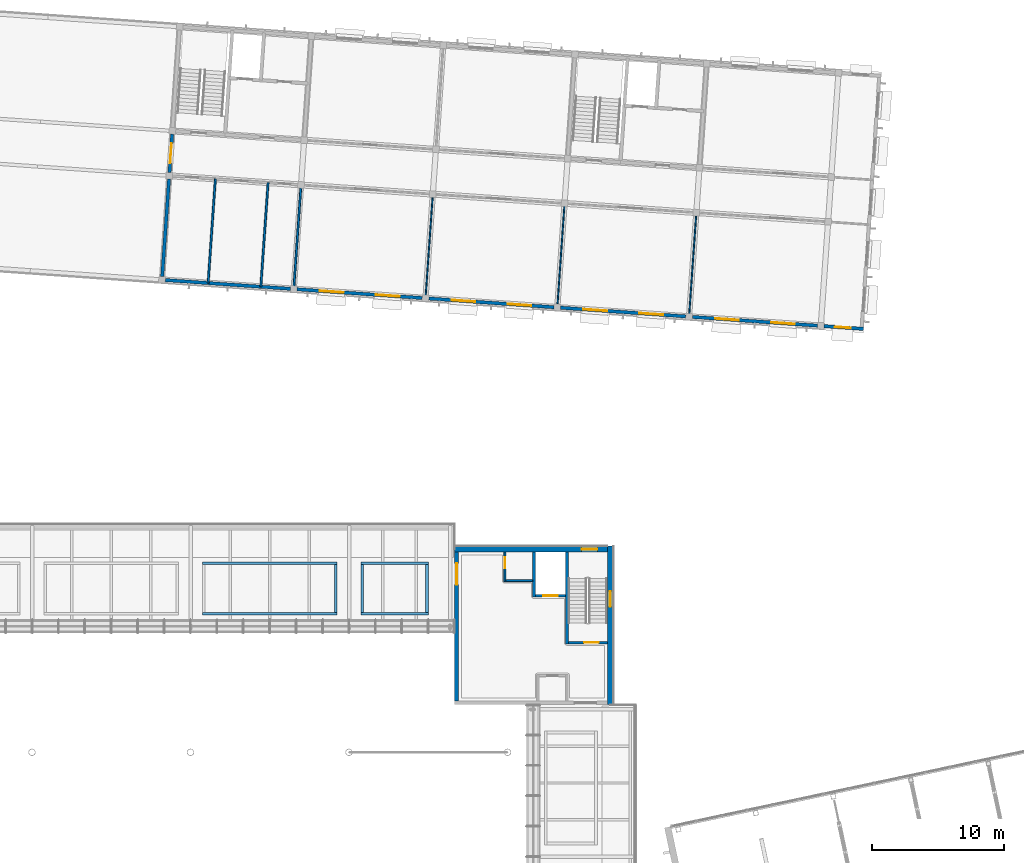
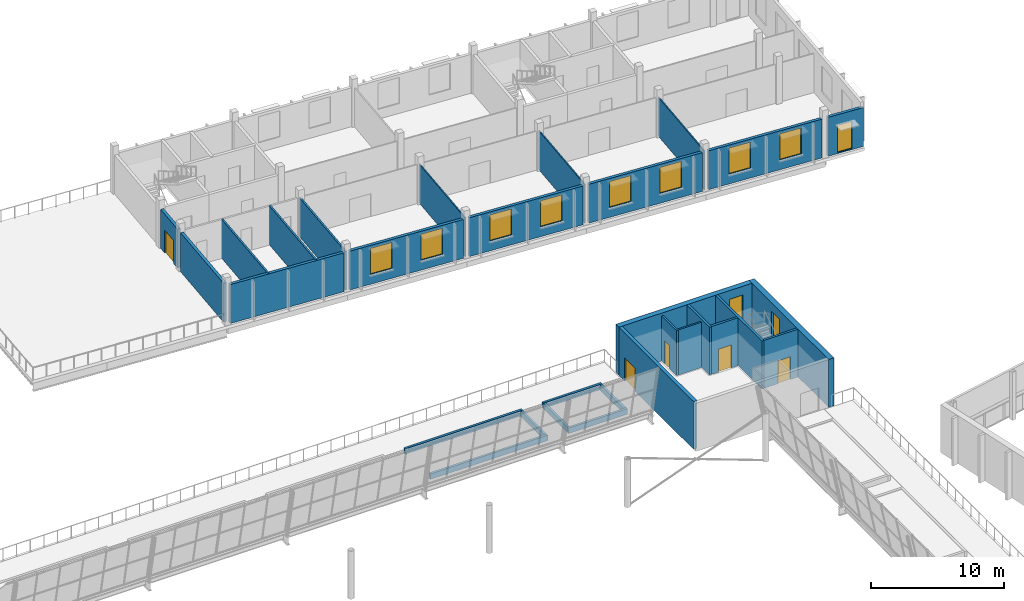
# One storey, part 36 of 58: 30 walls, 11 windows, 5 doors, 16 openings.
"""IFC4 building model written with IfcOpenShell, lengths in metres."""

from ifc_helpers import new_model, si_unit, direction, frame, frame_2d, origin, place, context, subcontext, project, spatial, rectangle, extrude, material, layer, layer_set, type_object, element, fill, save


model = new_model("IFC4")

# Units and contexts
model_context = context("Model", 3, precision=1e-05, world=origin(), true_north=direction((0.0, 1.0)))
body_context = subcontext(model_context, "Body", "Model", "MODEL_VIEW")
ifc_project = project(units=[si_unit("LENGTHUNIT", "METRE"), si_unit("AREAUNIT", "SQUARE_METRE"), si_unit("VOLUMEUNIT", "CUBIC_METRE"), si_unit("PLANEANGLEUNIT", "RADIAN"), si_unit("MASSUNIT", "GRAM", prefix="KILO")], contexts=[model_context])

# Site, building, storey
site_placement = place(None, origin())
site = spatial("IfcSite", under=ifc_project, at=site_placement, CompositionType="ELEMENT")
building_placement = place(site_placement, origin())
building = spatial("IfcBuilding", under=site, at=building_placement, Name="Windward Yard Aquatics Centre", CompositionType="ELEMENT")
storey_placement = place(building_placement, frame((0.0, 0.0, 13.800048828125)))
storey = spatial("IfcBuildingStorey", under=building, at=storey_placement, Name="L03", CompositionType="ELEMENT", Elevation=13.800048828125)

# Wall
ifc_material_1 = material(Name="Concrete C35/45", Category="concrete")
ifc_layer_1 = layer(ifc_material_1, 0.199951171875)
ifc_layer_set_1 = layer_set([ifc_layer_1], Name="H Enclosure Wall Concrete C35/45 200")
wall_type_1 = type_object("IfcWallType", Name="H Enclosure Wall Concrete C35/45 200", PredefinedType="SOLIDWALL", material=ifc_layer_set_1)
wall_1_placement = place(storey_placement, frame((148.5, 95.550048828125, 0.0), z_axis=(0.0, 0.0, 1.0), x_axis=(0.0, -1.0, 0.0)))
element("IfcWall", 1, at=wall_1_placement, inside=storey, type_object=wall_type_1, Name="L03 W1 enclosure wall NE", PredefinedType="SOLIDWALL", context=body_context, shape_type="SweptSolid", body=[
    extrude(rectangle(XDim=6.949951171875, YDim=0.199951171875, at=frame_2d((3.47509765625, 0.0))), origin(), (0.0, 0.0, 1.0), 4.39990234375),
])

# Wall, opening, door
wall_2_placement = place(storey_placement, frame((151.550048828125, 88.699951171875, 0.0), z_axis=(0.0, 0.0, 1.0), x_axis=(-1.0, 0.0, 0.0)))
wall_2 = element("IfcWall", 2, at=wall_2_placement, inside=storey, type_object=wall_type_1, Name="L03 W2 enclosure wall NE", PredefinedType="SOLIDWALL", context=body_context, shape_type="SweptSolid", body=[
    extrude(rectangle(XDim=2.949951171875, YDim=0.199951171875, at=frame_2d((1.47509765625, 0.0))), origin(), (0.0, 0.0, 1.0), 4.39990234375),
])
opening_1_placement = place(wall_2_placement, frame((0.64990234375, 0.0, 0.0)))
opening_1 = element("IfcOpeningElement", 3, at=opening_1_placement, cuts=wall_2, Name="Opening H3019", PredefinedType="OPENING", context=body_context, shape_type="SweptSolid", body=[
    extrude(rectangle(XDim=1.10009765625, YDim=2.10009765625, at=frame_2d((0.550048828125, 1.050048828125))), frame((0.0, 0.10986328125, 0.0), z_axis=(0.0, -1.0, 0.0), x_axis=(1.0, 0.0, 0.0)), (0.0, 0.0, 1.0), 0.219970703125),
])
ifc_material_2 = material(Name="Steel and timber door leaf", Category="steel")
door_type_1 = type_object("IfcDoorType", Name="H Door Single 1100 x 2100 FD60", OperationType="NOTDEFINED", PredefinedType="DOOR", material=ifc_material_2)
door_1_placement = place(opening_1_placement, origin())
door_1 = element("IfcDoor", 4, at=door_1_placement, inside=storey, type_object=door_type_1, Name="L03 stair NE door", OperationType="SINGLE_SWING_RIGHT", OverallHeight=2.10009765625, OverallWidth=1.10009765625, PredefinedType="DOOR", context=body_context, shape_type="SweptSolid", body=[
    extrude(rectangle(XDim=1.10009765625, YDim=2.10009765625, at=frame_2d((0.550048828125, 1.050048828125))), frame((0.0, 0.02490234375, 0.0), z_axis=(0.0, -1.0, 0.0), x_axis=(1.0, 0.0, 0.0)), (0.0, 0.0, 1.0), 0.050048828125),
])
fill(opening_1, door_1)

# Wall
wall_3_placement = place(storey_placement, frame((146.0, 95.550048828125, 0.0), z_axis=(0.0, 0.0, 1.0), x_axis=(0.0, -1.0, 0.0)))
element("IfcWall", 5, at=wall_3_placement, inside=storey, type_object=wall_type_1, Name="L03 W3 enclosure wall NE", PredefinedType="SOLIDWALL", context=body_context, shape_type="SweptSolid", body=[
    extrude(rectangle(XDim=3.400146484375, YDim=0.199951171875, at=frame_2d((1.7001953125, 0.0))), origin(), (0.0, 0.0, 1.0), 4.39990234375),
])

# Wall, opening, door
wall_4_placement = place(storey_placement, frame((148.39990234375, 92.25, 0.0), z_axis=(0.0, 0.0, 1.0), x_axis=(-1.0, 0.0, 0.0)))
wall_4 = element("IfcWall", 6, at=wall_4_placement, inside=storey, type_object=wall_type_1, Name="L03 W4 enclosure wall NE", PredefinedType="SOLIDWALL", context=body_context, shape_type="SweptSolid", body=[
    extrude(rectangle(XDim=2.2998046875, YDim=0.199951171875, at=frame_2d((1.14990234375, 0.0))), origin(), (0.0, 0.0, 1.0), 4.39990234375),
])
opening_2_placement = place(wall_4_placement, frame((0.60009765625, 0.0, 0.0)))
opening_2 = element("IfcOpeningElement", 7, at=opening_2_placement, cuts=wall_4, Name="Opening H3020", PredefinedType="OPENING", context=body_context, shape_type="SweptSolid", body=[
    extrude(rectangle(XDim=1.10009765625, YDim=2.10009765625, at=frame_2d((0.550048828125, 1.050048828125))), frame((0.0, 0.10986328125, 0.0), z_axis=(0.0, -1.0, 0.0), x_axis=(1.0, 0.0, 0.0)), (0.0, 0.0, 1.0), 0.219970703125),
])
ifc_material_3 = material(Name="Stainless steel 1.4301", Category="steel")
door_type_2 = type_object("IfcDoorType", Name="H Lift Landing Door 1100 x 2100", OperationType="DOUBLE_DOOR_SLIDING", PredefinedType="DOOR", material=ifc_material_3)
door_2_placement = place(opening_2_placement, origin())
door_2 = element("IfcDoor", 8, at=door_2_placement, inside=storey, type_object=door_type_2, Name="Lift NE landing door L03", OperationType="DOUBLE_DOOR_SLIDING", OverallHeight=2.10009765625, OverallWidth=1.10009765625, PredefinedType="DOOR", context=body_context, shape_type="SweptSolid", body=[
    extrude(rectangle(XDim=1.10009765625, YDim=2.10009765625, at=frame_2d((0.550048828125, 1.050048828125))), frame((0.0, 0.02490234375, 0.0), z_axis=(0.0, -1.0, 0.0), x_axis=(1.0, 0.0, 0.0)), (0.0, 0.0, 1.0), 0.050048828125),
])
fill(opening_2, door_2)

# Wall
ifc_material_4 = material(Name="Blockwork 150 mm", Category="masonry")
ifc_layer_2 = layer(ifc_material_4, 0.14990234375)
ifc_layer_set_2 = layer_set([ifc_layer_2], Name="H Partition Blockwork 150")
wall_type_2 = type_object("IfcWallType", Name="H Partition Blockwork 150", PredefinedType="PARTITIONING", material=ifc_layer_set_2)
wall_5_placement = place(storey_placement, frame((145.89990234375, 93.39990234375, 0.0), z_axis=(0.0, 0.0, 1.0), x_axis=(-1.0, 0.0, 0.0)))
element("IfcWall", 9, at=wall_5_placement, inside=storey, type_object=wall_type_2, Name="L03 R1N riser wall NE", PredefinedType="PARTITIONING", context=body_context, shape_type="SweptSolid", body=[
    extrude(rectangle(XDim=2.02490234375, YDim=0.14990234375, at=frame_2d((1.012451171875, 0.0))), origin(), (0.0, 0.0, 1.0), 4.14990234375),
])

# Wall, opening, door
wall_6_placement = place(storey_placement, frame((143.800048828125, 95.550048828125, 0.0), z_axis=(0.0, 0.0, 1.0), x_axis=(0.0, -1.0, 0.0)))
wall_6 = element("IfcWall", 10, at=wall_6_placement, inside=storey, type_object=wall_type_2, Name="L03 R1E riser wall NE", PredefinedType="PARTITIONING", context=body_context, shape_type="SweptSolid", body=[
    extrude(rectangle(XDim=2.22509765625, YDim=0.14990234375, at=frame_2d((1.112548828125, 0.0))), origin(), (0.0, 0.0, 1.0), 4.14990234375),
])
opening_3_placement = place(wall_6_placement, frame((0.39990234375, 0.0, 0.0)))
opening_3 = element("IfcOpeningElement", 11, at=opening_3_placement, cuts=wall_6, Name="Opening H3021", PredefinedType="OPENING", context=body_context, shape_type="SweptSolid", body=[
    extrude(rectangle(XDim=0.800048828125, YDim=2.10009765625, at=frame_2d((0.39990234375, 1.050048828125))), frame((0.0, 0.0849609375, 0.0), z_axis=(0.0, -1.0, 0.0), x_axis=(1.0, 0.0, 0.0)), (0.0, 0.0, 1.0), 0.169921875),
])
door_type_3 = type_object("IfcDoorType", Name="H Door Riser 800 x 2100 FD60", OperationType="NOTDEFINED", PredefinedType="DOOR", material=ifc_material_2)
door_3_placement = place(opening_3_placement, origin())
door_3 = element("IfcDoor", 12, at=door_3_placement, inside=storey, type_object=door_type_3, Name="L03 electrical riser NE door", OperationType="SINGLE_SWING_LEFT", OverallHeight=2.10009765625, OverallWidth=0.800048828125, PredefinedType="DOOR", context=body_context, shape_type="SweptSolid", body=[
    extrude(rectangle(XDim=0.800048828125, YDim=2.10009765625, at=frame_2d((0.39990234375, 1.050048828125))), frame((0.0, 0.02490234375, 0.0), z_axis=(0.0, -1.0, 0.0), x_axis=(1.0, 0.0, 0.0)), (0.0, 0.0, 1.0), 0.050048828125),
])
fill(opening_3, door_3)

# Walls
ifc_layer_3 = layer(ifc_material_1, 0.199951171875)
ifc_layer_set_3 = layer_set([ifc_layer_3], Name="H planter kerb wall 200 C35/45")
wall_type_3 = type_object("IfcWallType", Name="H planter kerb wall 200 C35/45", PredefinedType="PARAPET", material=ifc_layer_set_3)
for number, where, z_axis, x_axis, name in (
    (13, (120.89990234375, 94.699951171875, 0.0), (0.0, 0.0, 1.0), (1.0, 0.0, 0.0), "Planting bed T1 N6 kerb S"),
    (14, (120.89990234375, 90.89990234375, 0.0), (0.0, 0.0, 1.0), (1.0, 0.0, 0.0), "Planting bed T1 N6 kerb N"),
):
    element("IfcWall", number, at=place(storey_placement, frame(where, z_axis=z_axis, x_axis=x_axis)), inside=storey, type_object=wall_type_3, Name=name, PredefinedType="PARAPET", context=body_context, shape_type="SweptSolid", body=[
        extrude(rectangle(XDim=10.2001953125, YDim=0.199951171875, at=frame_2d((5.10009765625, 0.0))), origin(), (0.0, 0.0, 1.0), 0.5),
    ])
wall_7_placement = place(storey_placement, frame((131.0, 94.60009765625, 0.0), z_axis=(0.0, 0.0, 1.0), x_axis=(0.0, -1.0, 0.0)))
element("IfcWall", 15, at=wall_7_placement, inside=storey, type_object=wall_type_3, Name="Planting bed T1 N6 kerb E", PredefinedType="PARAPET", context=body_context, shape_type="SweptSolid", body=[
    extrude(rectangle(XDim=3.60009765625, YDim=0.199951171875, at=frame_2d((1.800048828125, 0.0))), origin(), (0.0, 0.0, 1.0), 0.5),
])
for number, where, z_axis, x_axis, name in (
    (16, (132.89990234375, 94.699951171875, 0.0), (0.0, 0.0, 1.0), (1.0, 0.0, 0.0), "Planting bed T1 N7 kerb S"),
    (17, (132.89990234375, 90.89990234375, 0.0), (0.0, 0.0, 1.0), (1.0, 0.0, 0.0), "Planting bed T1 N7 kerb N"),
):
    element("IfcWall", number, at=place(storey_placement, frame(where, z_axis=z_axis, x_axis=x_axis)), inside=storey, type_object=wall_type_3, Name=name, PredefinedType="PARAPET", context=body_context, shape_type="SweptSolid", body=[
        extrude(rectangle(XDim=5.10009765625, YDim=0.199951171875, at=frame_2d((2.550048828125, 0.0))), origin(), (0.0, 0.0, 1.0), 0.5),
    ])
for number, where, z_axis, x_axis, name in (
    (18, (133.0, 94.60009765625, 0.0), (0.0, 0.0, 1.0), (0.0, -1.0, 0.0), "Planting bed T1 N7 kerb W"),
    (19, (137.89990234375, 94.60009765625, 0.0), (0.0, 0.0, 1.0), (0.0, -1.0, 0.0), "Planting bed T1 N7 kerb E"),
):
    element("IfcWall", number, at=place(storey_placement, frame(where, z_axis=z_axis, x_axis=x_axis)), inside=storey, type_object=wall_type_3, Name=name, PredefinedType="PARAPET", context=body_context, shape_type="SweptSolid", body=[
        extrude(rectangle(XDim=3.60009765625, YDim=0.199951171875, at=frame_2d((1.800048828125, 0.0))), origin(), (0.0, 0.0, 1.0), 0.5),
    ])

# Wall, opening, window
ifc_material_5 = material(Name="Natural stone cladding", Category="masonry")
ifc_layer_4 = layer(ifc_material_5, 0.04, Name="Cladding")
ifc_material_6 = material(Name="Ventilated air cavity")
ifc_layer_5 = layer(ifc_material_6, 0.05, ventilated=True, Name="Ventilated cavity")
ifc_material_7 = material(Name="Mineral wool insulation")
ifc_layer_6 = layer(ifc_material_7, 0.08, Name="Insulation")
ifc_layer_7 = layer(ifc_material_1, 0.28, Name="Structure")
ifc_layer_set_4 = layer_set([ifc_layer_4, ifc_layer_5, ifc_layer_6, ifc_layer_7], Name="H plinth wall stone faced 450 C35/45")
wall_type_4 = type_object("IfcWallType", Name="H plinth wall stone faced 450 C35/45", PredefinedType="ELEMENTEDWALL", material=ifc_layer_set_4)
wall_8_placement = place(storey_placement, frame((151.77490234375, 96.0, 0.0), z_axis=(0.0, 0.0, 1.0), x_axis=(0.0, -1.0, 0.0)))
wall_8 = element("IfcWall", 20, at=wall_8_placement, inside=storey, type_object=wall_type_4, Name="H.CW.NE.E.L03", PredefinedType="ELEMENTEDWALL", context=body_context, shape_type="SweptSolid", body=[
    extrude(rectangle(XDim=12.0, YDim=0.449951171875, at=frame_2d((6.0, 0.0))), origin(), (0.0, 0.0, 1.0), 4.39990234375),
])
opening_4_placement = place(wall_8_placement, frame((3.39990234375, 0.0, 0.60009765625)))
opening_4 = element("IfcOpeningElement", 21, at=opening_4_placement, cuts=wall_8, Name="Opening W3026", PredefinedType="OPENING", context=body_context, shape_type="SweptSolid", body=[
    extrude(rectangle(XDim=1.199951171875, YDim=3.0, at=frame_2d((0.60009765625, 1.5))), frame((0.0, 0.23486328125, 0.0), z_axis=(0.0, -1.0, 0.0), x_axis=(1.0, 0.0, 0.0)), (0.0, 0.0, 1.0), 0.469970703125),
])
ifc_material_8 = material(Name="Fire-resisting glazing in steel frame", Category="steel")
window_type_1 = type_object("IfcWindowType", Name="H Core Stair Window 1200 x 3000 EI 60", PartitioningType="SINGLE_PANEL", PredefinedType="WINDOW", material=ifc_material_8)
window_1_placement = place(opening_4_placement, origin())
window_1 = element("IfcWindow", 22, at=window_1_placement, inside=storey, type_object=window_type_1, Name="L03 core NE stair window", OverallHeight=3.0, OverallWidth=1.199951171875, PartitioningType="SINGLE_PANEL", PredefinedType="WINDOW", context=body_context, shape_type="SweptSolid", body=[
    extrude(rectangle(XDim=1.199951171875, YDim=3.0, at=frame_2d((0.60009765625, 1.5))), frame((0.0, 0.030029296875, 0.0), z_axis=(0.0, -1.0, 0.0), x_axis=(1.0, 0.0, 0.0)), (0.0, 0.0, 1.0), 0.06005859375),
])
fill(opening_4, window_1)

wall_9_placement = place(storey_placement, frame((151.550048828125, 95.77490234375, 0.0), z_axis=(0.0, 0.0, 1.0), x_axis=(-1.0, 0.0, 0.0)))
wall_9 = element("IfcWall", 23, at=wall_9_placement, inside=storey, type_object=wall_type_4, Name="H.CW.NE.N.L03", PredefinedType="ELEMENTEDWALL", context=body_context, shape_type="SweptSolid", body=[
    extrude(rectangle(XDim=11.550048828125, YDim=0.449951171875, at=frame_2d((5.77490234375, 0.0))), origin(), (0.0, 0.0, 1.0), 4.39990234375),
])
opening_5_placement = place(wall_9_placement, frame((0.75, 0.0, 0.60009765625)))
opening_5 = element("IfcOpeningElement", 24, at=opening_5_placement, cuts=wall_9, Name="Opening W3027", PredefinedType="OPENING", context=body_context, shape_type="SweptSolid", body=[
    extrude(rectangle(XDim=1.199951171875, YDim=3.0, at=frame_2d((0.60009765625, 1.5))), frame((0.0, 0.23486328125, 0.0), z_axis=(0.0, -1.0, 0.0), x_axis=(1.0, 0.0, 0.0)), (0.0, 0.0, 1.0), 0.469970703125),
])
window_2_placement = place(opening_5_placement, origin())
window_2 = element("IfcWindow", 25, at=window_2_placement, inside=storey, type_object=window_type_1, Name="L03 core NE stair window", OverallHeight=3.0, OverallWidth=1.199951171875, PartitioningType="SINGLE_PANEL", PredefinedType="WINDOW", context=body_context, shape_type="SweptSolid", body=[
    extrude(rectangle(XDim=1.199951171875, YDim=3.0, at=frame_2d((0.60009765625, 1.5))), frame((0.0, 0.030029296875, 0.0), z_axis=(0.0, -1.0, 0.0), x_axis=(1.0, 0.0, 0.0)), (0.0, 0.0, 1.0), 0.06005859375),
])
fill(opening_5, window_2)

# Wall, opening, door
ifc_layer_8 = layer(ifc_material_1, 0.300048828125)
ifc_layer_set_5 = layer_set([ifc_layer_8], Name="H rear wall 300 C35/45")
wall_type_5 = type_object("IfcWallType", Name="H rear wall 300 C35/45", PredefinedType="SOLIDWALL", material=ifc_layer_set_5)
wall_10_placement = place(storey_placement, frame((140.14990234375, 95.550048828125, 0.0), z_axis=(0.0, 0.0, 1.0), x_axis=(0.0, -1.0, 0.0)))
wall_10 = element("IfcWall", 26, at=wall_10_placement, inside=storey, type_object=wall_type_5, Name="H.CW.NE.W.L03", PredefinedType="SOLIDWALL", context=body_context, shape_type="SweptSolid", body=[
    extrude(rectangle(XDim=11.25, YDim=0.300048828125, at=frame_2d((5.625, 0.0))), origin(), (0.0, 0.0, 1.0), 4.39990234375),
])
opening_6_placement = place(wall_10_placement, frame((0.85009765625, 0.0, 0.0)))
opening_6 = element("IfcOpeningElement", 27, at=opening_6_placement, cuts=wall_10, Name="Opening H3023", PredefinedType="OPENING", context=body_context, shape_type="SweptSolid", body=[
    extrude(rectangle(XDim=1.60009765625, YDim=2.10009765625, at=frame_2d((0.800048828125, 1.050048828125))), frame((0.0, 0.16015625, 0.0), z_axis=(0.0, -1.0, 0.0), x_axis=(1.0, 0.0, 0.0)), (0.0, 0.0, 1.0), 0.320068359375),
])
door_type_4 = type_object("IfcDoorType", Name="H Door Double 1600 x 2100 FD60", OperationType="DOUBLE_DOOR_SINGLE_SWING", PredefinedType="DOOR", material=ifc_material_2)
door_4_placement = place(opening_6_placement, origin())
door_4 = element("IfcDoor", 28, at=door_4_placement, inside=storey, type_object=door_type_4, Name="L03 core NE door to strip", OperationType="DOUBLE_DOOR_SINGLE_SWING", OverallHeight=2.10009765625, OverallWidth=1.60009765625, PredefinedType="DOOR", context=body_context, shape_type="SweptSolid", body=[
    extrude(rectangle(XDim=1.60009765625, YDim=2.10009765625, at=frame_2d((0.800048828125, 1.050048828125))), frame((0.0, 0.02490234375, 0.0), z_axis=(0.0, -1.0, 0.0), x_axis=(1.0, 0.0, 0.0)), (0.0, 0.0, 1.0), 0.050048828125),
])
fill(opening_6, door_4)

# Wall
ifc_material_9 = material(Name="Concrete C40/50", Category="concrete")
ifc_layer_9 = layer(ifc_material_9, 0.25)
ifc_layer_set_6 = layer_set([ifc_layer_9], Name="W facade wall 250 Precast Concrete C40/50")
wall_type_6 = type_object("IfcWallType", Name="W facade wall 250 Precast Concrete C40/50", PredefinedType="SOLIDWALL", material=ifc_layer_set_6)
wall_11_placement = place(storey_placement, frame((118.08837890625, 116.150146484375, 0.0), z_axis=(0.0, 0.0, 1.0), x_axis=(0.997562886035, -0.069773120941, 0.0)))
element("IfcWall", 29, at=wall_11_placement, inside=storey, type_object=wall_type_6, Name="W.FW.L03.S.46.8", PredefinedType="SOLIDWALL", context=body_context, shape_type="SweptSolid", body=[
    extrude(rectangle(XDim=9.5, YDim=0.25, at=frame_2d((4.75, 0.0))), origin(), (0.0, 0.0, 1.0), 3.570068359375),
])

# Wall, openings, windows
wall_12_placement = place(storey_placement, frame((128.06396484375, 115.452392578125, 0.0), z_axis=(0.0, 0.0, 1.0), x_axis=(0.997564674448, -0.06974754686, 0.0)))
wall_12 = element("IfcWall", 30, at=wall_12_placement, inside=storey, type_object=wall_type_6, Name="W.FW.L03.S.56.8", PredefinedType="SOLIDWALL", context=body_context, shape_type="SweptSolid", body=[
    extrude(rectangle(XDim=9.5, YDim=0.25, at=frame_2d((4.75, 0.0))), origin(), (0.0, 0.0, 1.0), 3.570068359375),
])
opening_7_placement = place(wall_12_placement, frame((1.72509765625, 0.0, 0.89990234375)))
opening_7 = element("IfcOpeningElement", 31, at=opening_7_placement, cuts=wall_12, Name="Opening W3501", PredefinedType="OPENING", context=body_context, shape_type="SweptSolid", body=[
    extrude(rectangle(XDim=1.800048828125, YDim=2.39990234375, at=frame_2d((0.89990234375, 1.199951171875))), frame((0.0, 0.135009765625, 0.0), z_axis=(0.0, -1.0, 0.0), x_axis=(1.0, 0.0, 0.0)), (0.0, 0.0, 1.0), 0.27001953125),
])
opening_8_placement = place(wall_12_placement, frame((5.97509765625, 0.0, 0.89990234375)))
opening_8 = element("IfcOpeningElement", 32, at=opening_8_placement, cuts=wall_12, Name="Opening W3502", PredefinedType="OPENING", context=body_context, shape_type="SweptSolid", body=[
    extrude(rectangle(XDim=1.800048828125, YDim=2.39990234375, at=frame_2d((0.89990234375, 1.199951171875))), frame((0.0, 0.135009765625, 0.0), z_axis=(0.0, -1.0, 0.0), x_axis=(1.0, 0.0, 0.0)), (0.0, 0.0, 1.0), 0.27001953125),
])
ifc_material_10 = material(Name="Aluminium framed glazing", Category="aluminium")
window_type_2 = type_object("IfcWindowType", Name="W window 1800x2400", PartitioningType="SINGLE_PANEL", PredefinedType="WINDOW", material=ifc_material_10)
window_3_placement = place(opening_7_placement, origin())
window_3 = element("IfcWindow", 33, at=window_3_placement, inside=storey, type_object=window_type_2, Name="W.WN.L03.W3501", OverallHeight=2.39990234375, OverallWidth=1.800048828125, PartitioningType="SINGLE_PANEL", PredefinedType="WINDOW", context=body_context, shape_type="SweptSolid", body=[
    extrude(rectangle(XDim=1.800048828125, YDim=2.39990234375, at=frame_2d((0.89990234375, 1.199951171875))), frame((0.0, 0.030029296875, 0.0), z_axis=(0.0, -1.0, 0.0), x_axis=(1.0, 0.0, 0.0)), (0.0, 0.0, 1.0), 0.06005859375),
])
fill(opening_7, window_3)
window_4_placement = place(opening_8_placement, origin())
window_4 = element("IfcWindow", 34, at=window_4_placement, inside=storey, type_object=window_type_2, Name="W.WN.L03.W3502", OverallHeight=2.39990234375, OverallWidth=1.800048828125, PartitioningType="SINGLE_PANEL", PredefinedType="WINDOW", context=body_context, shape_type="SweptSolid", body=[
    extrude(rectangle(XDim=1.800048828125, YDim=2.39990234375, at=frame_2d((0.89990234375, 1.199951171875))), frame((0.0, 0.030029296875, 0.0), z_axis=(0.0, -1.0, 0.0), x_axis=(1.0, 0.0, 0.0)), (0.0, 0.0, 1.0), 0.06005859375),
])
fill(opening_8, window_4)

wall_13_placement = place(storey_placement, frame((138.03955078125, 114.7548828125, 0.0), z_axis=(0.0, 0.0, 1.0), x_axis=(0.997564674448, -0.06974754686, 0.0)))
wall_13 = element("IfcWall", 35, at=wall_13_placement, inside=storey, type_object=wall_type_6, Name="W.FW.L03.S.66.8", PredefinedType="SOLIDWALL", context=body_context, shape_type="SweptSolid", body=[
    extrude(rectangle(XDim=9.5, YDim=0.25, at=frame_2d((4.75, 0.0))), origin(), (0.0, 0.0, 1.0), 3.570068359375),
])
opening_9_placement = place(wall_13_placement, frame((1.72509765625, 0.0, 0.89990234375)))
opening_9 = element("IfcOpeningElement", 36, at=opening_9_placement, cuts=wall_13, Name="Opening W3503", PredefinedType="OPENING", context=body_context, shape_type="SweptSolid", body=[
    extrude(rectangle(XDim=1.800048828125, YDim=2.39990234375, at=frame_2d((0.89990234375, 1.199951171875))), frame((0.0, 0.135009765625, 0.0), z_axis=(0.0, -1.0, 0.0), x_axis=(1.0, 0.0, 0.0)), (0.0, 0.0, 1.0), 0.27001953125),
])
opening_10_placement = place(wall_13_placement, frame((5.97509765625, 0.0, 0.89990234375)))
opening_10 = element("IfcOpeningElement", 37, at=opening_10_placement, cuts=wall_13, Name="Opening W3504", PredefinedType="OPENING", context=body_context, shape_type="SweptSolid", body=[
    extrude(rectangle(XDim=1.800048828125, YDim=2.39990234375, at=frame_2d((0.89990234375, 1.199951171875))), frame((0.0, 0.135009765625, 0.0), z_axis=(0.0, -1.0, 0.0), x_axis=(1.0, 0.0, 0.0)), (0.0, 0.0, 1.0), 0.27001953125),
])
window_5_placement = place(opening_9_placement, origin())
window_5 = element("IfcWindow", 38, at=window_5_placement, inside=storey, type_object=window_type_2, Name="W.WN.L03.W3503", OverallHeight=2.39990234375, OverallWidth=1.800048828125, PartitioningType="SINGLE_PANEL", PredefinedType="WINDOW", context=body_context, shape_type="SweptSolid", body=[
    extrude(rectangle(XDim=1.800048828125, YDim=2.39990234375, at=frame_2d((0.89990234375, 1.199951171875))), frame((0.0, 0.030029296875, 0.0), z_axis=(0.0, -1.0, 0.0), x_axis=(1.0, 0.0, 0.0)), (0.0, 0.0, 1.0), 0.06005859375),
])
fill(opening_9, window_5)
window_6_placement = place(opening_10_placement, origin())
window_6 = element("IfcWindow", 39, at=window_6_placement, inside=storey, type_object=window_type_2, Name="W.WN.L03.W3504", OverallHeight=2.39990234375, OverallWidth=1.800048828125, PartitioningType="SINGLE_PANEL", PredefinedType="WINDOW", context=body_context, shape_type="SweptSolid", body=[
    extrude(rectangle(XDim=1.800048828125, YDim=2.39990234375, at=frame_2d((0.89990234375, 1.199951171875))), frame((0.0, 0.030029296875, 0.0), z_axis=(0.0, -1.0, 0.0), x_axis=(1.0, 0.0, 0.0)), (0.0, 0.0, 1.0), 0.06005859375),
])
fill(opening_10, window_6)

wall_14_placement = place(storey_placement, frame((148.01513671875, 114.057373046875, 0.0), z_axis=(0.0, 0.0, 1.0), x_axis=(0.997564674448, -0.06974754686, 0.0)))
wall_14 = element("IfcWall", 40, at=wall_14_placement, inside=storey, type_object=wall_type_6, Name="W.FW.L03.S.76.8", PredefinedType="SOLIDWALL", context=body_context, shape_type="SweptSolid", body=[
    extrude(rectangle(XDim=9.5, YDim=0.25, at=frame_2d((4.75, 0.0))), origin(), (0.0, 0.0, 1.0), 3.570068359375),
])
opening_11_placement = place(wall_14_placement, frame((1.72509765625, 0.0, 0.89990234375)))
opening_11 = element("IfcOpeningElement", 41, at=opening_11_placement, cuts=wall_14, Name="Opening W3505", PredefinedType="OPENING", context=body_context, shape_type="SweptSolid", body=[
    extrude(rectangle(XDim=1.800048828125, YDim=2.39990234375, at=frame_2d((0.89990234375, 1.199951171875))), frame((0.0, 0.135009765625, 0.0), z_axis=(0.0, -1.0, 0.0), x_axis=(1.0, 0.0, 0.0)), (0.0, 0.0, 1.0), 0.27001953125),
])
opening_12_placement = place(wall_14_placement, frame((5.97509765625, 0.0, 0.89990234375)))
opening_12 = element("IfcOpeningElement", 42, at=opening_12_placement, cuts=wall_14, Name="Opening W3506", PredefinedType="OPENING", context=body_context, shape_type="SweptSolid", body=[
    extrude(rectangle(XDim=1.800048828125, YDim=2.39990234375, at=frame_2d((0.89990234375, 1.199951171875))), frame((0.0, 0.135009765625, 0.0), z_axis=(0.0, -1.0, 0.0), x_axis=(1.0, 0.0, 0.0)), (0.0, 0.0, 1.0), 0.27001953125),
])
window_7_placement = place(opening_11_placement, origin())
window_7 = element("IfcWindow", 43, at=window_7_placement, inside=storey, type_object=window_type_2, Name="W.WN.L03.W3505", OverallHeight=2.39990234375, OverallWidth=1.800048828125, PartitioningType="SINGLE_PANEL", PredefinedType="WINDOW", context=body_context, shape_type="SweptSolid", body=[
    extrude(rectangle(XDim=1.800048828125, YDim=2.39990234375, at=frame_2d((0.89990234375, 1.199951171875))), frame((0.0, 0.030029296875, 0.0), z_axis=(0.0, -1.0, 0.0), x_axis=(1.0, 0.0, 0.0)), (0.0, 0.0, 1.0), 0.06005859375),
])
fill(opening_11, window_7)
window_8_placement = place(opening_12_placement, origin())
window_8 = element("IfcWindow", 44, at=window_8_placement, inside=storey, type_object=window_type_2, Name="W.WN.L03.W3506", OverallHeight=2.39990234375, OverallWidth=1.800048828125, PartitioningType="SINGLE_PANEL", PredefinedType="WINDOW", context=body_context, shape_type="SweptSolid", body=[
    extrude(rectangle(XDim=1.800048828125, YDim=2.39990234375, at=frame_2d((0.89990234375, 1.199951171875))), frame((0.0, 0.030029296875, 0.0), z_axis=(0.0, -1.0, 0.0), x_axis=(1.0, 0.0, 0.0)), (0.0, 0.0, 1.0), 0.06005859375),
])
fill(opening_12, window_8)

wall_15_placement = place(storey_placement, frame((157.99072265625, 113.35986328125, 0.0), z_axis=(0.0, 0.0, 1.0), x_axis=(0.997563011141, -0.069771332249, 0.0)))
wall_15 = element("IfcWall", 45, at=wall_15_placement, inside=storey, type_object=wall_type_6, Name="W.FW.L03.S.86.8", PredefinedType="SOLIDWALL", context=body_context, shape_type="SweptSolid", body=[
    extrude(rectangle(XDim=9.500244140625, YDim=0.25, at=frame_2d((4.75, 0.0))), origin(), (0.0, 0.0, 1.0), 3.570068359375),
])
opening_13_placement = place(wall_15_placement, frame((1.72509765625, 0.0, 0.89990234375)))
opening_13 = element("IfcOpeningElement", 46, at=opening_13_placement, cuts=wall_15, Name="Opening W3507", PredefinedType="OPENING", context=body_context, shape_type="SweptSolid", body=[
    extrude(rectangle(XDim=1.800048828125, YDim=2.39990234375, at=frame_2d((0.89990234375, 1.199951171875))), frame((0.0, 0.135009765625, 0.0), z_axis=(0.0, -1.0, 0.0), x_axis=(1.0, 0.0, 0.0)), (0.0, 0.0, 1.0), 0.27001953125),
])
opening_14_placement = place(wall_15_placement, frame((5.97509765625, 0.0, 0.89990234375)))
opening_14 = element("IfcOpeningElement", 47, at=opening_14_placement, cuts=wall_15, Name="Opening W3508", PredefinedType="OPENING", context=body_context, shape_type="SweptSolid", body=[
    extrude(rectangle(XDim=1.800048828125, YDim=2.39990234375, at=frame_2d((0.89990234375, 1.199951171875))), frame((0.0, 0.135009765625, 0.0), z_axis=(0.0, -1.0, 0.0), x_axis=(1.0, 0.0, 0.0)), (0.0, 0.0, 1.0), 0.27001953125),
])
window_9_placement = place(opening_13_placement, origin())
window_9 = element("IfcWindow", 48, at=window_9_placement, inside=storey, type_object=window_type_2, Name="W.WN.L03.W3507", OverallHeight=2.39990234375, OverallWidth=1.800048828125, PartitioningType="SINGLE_PANEL", PredefinedType="WINDOW", context=body_context, shape_type="SweptSolid", body=[
    extrude(rectangle(XDim=1.800048828125, YDim=2.39990234375, at=frame_2d((0.89990234375, 1.199951171875))), frame((0.0, 0.030029296875, 0.0), z_axis=(0.0, -1.0, 0.0), x_axis=(1.0, 0.0, 0.0)), (0.0, 0.0, 1.0), 0.06005859375),
])
fill(opening_13, window_9)
window_10_placement = place(opening_14_placement, origin())
window_10 = element("IfcWindow", 49, at=window_10_placement, inside=storey, type_object=window_type_2, Name="W.WN.L03.W3508", OverallHeight=2.39990234375, OverallWidth=1.800048828125, PartitioningType="SINGLE_PANEL", PredefinedType="WINDOW", context=body_context, shape_type="SweptSolid", body=[
    extrude(rectangle(XDim=1.800048828125, YDim=2.39990234375, at=frame_2d((0.89990234375, 1.199951171875))), frame((0.0, 0.030029296875, 0.0), z_axis=(0.0, -1.0, 0.0), x_axis=(1.0, 0.0, 0.0)), (0.0, 0.0, 1.0), 0.06005859375),
])
fill(opening_14, window_10)

# Wall, opening, window
wall_16_placement = place(storey_placement, frame((167.966552734375, 112.662353515625, 0.0), z_axis=(0.0, 0.0, 1.0), x_axis=(0.997558109536, -0.069841378134, 0.0)))
wall_16 = element("IfcWall", 50, at=wall_16_placement, inside=storey, type_object=wall_type_6, Name="W.FW.L03.S.96.8", PredefinedType="SOLIDWALL", context=body_context, shape_type="SweptSolid", body=[
    extrude(rectangle(XDim=2.974853515625, YDim=0.25, at=frame_2d((1.4873046875, 0.0))), origin(), (0.0, 0.0, 1.0), 3.570068359375),
])
opening_15_placement = place(wall_16_placement, frame((0.824951171875, 0.0, 0.10009765625)))
opening_15 = element("IfcOpeningElement", 51, at=opening_15_placement, cuts=wall_16, Name="Opening W3509", PredefinedType="OPENING", context=body_context, shape_type="SweptSolid", body=[
    extrude(rectangle(XDim=1.199951171875, YDim=2.5, at=frame_2d((0.60009765625, 1.25))), frame((0.0, 0.135009765625, 0.0), z_axis=(0.0, -1.0, 0.0), x_axis=(1.0, 0.0, 0.0)), (0.0, 0.0, 1.0), 0.27001953125),
])
window_type_3 = type_object("IfcWindowType", Name="W sidelight 1200x2500", PartitioningType="SINGLE_PANEL", PredefinedType="WINDOW", material=ifc_material_10)
window_11_placement = place(opening_15_placement, origin())
window_11 = element("IfcWindow", 52, at=window_11_placement, inside=storey, type_object=window_type_3, Name="W.WN.L03.W3509", OverallHeight=2.5, OverallWidth=1.199951171875, PartitioningType="SINGLE_PANEL", PredefinedType="WINDOW", context=body_context, shape_type="SweptSolid", body=[
    extrude(rectangle(XDim=1.199951171875, YDim=2.5, at=frame_2d((0.60009765625, 1.25))), frame((0.0, 0.030029296875, 0.0), z_axis=(0.0, -1.0, 0.0), x_axis=(1.0, 0.0, 0.0)), (0.0, 0.0, 1.0), 0.06005859375),
])
fill(opening_15, window_11)

# Wall
wall_17_placement = place(storey_placement, frame((117.856201171875, 116.4169921875, 0.0), z_axis=(0.0, 0.0, 1.0), x_axis=(0.069779223481, 0.997562459183, 0.0)))
element("IfcWall", 53, at=wall_17_placement, inside=storey, type_object=wall_type_6, Name="W.FW.L03.W.0.7", PredefinedType="SOLIDWALL", context=body_context, shape_type="SweptSolid", body=[
    extrude(rectangle(XDim=7.39990234375, YDim=0.25, at=frame_2d((3.699951171875, 0.0))), origin(), (0.0, 0.0, 1.0), 3.570068359375),
])

# Wall, opening, door
wall_18_placement = place(storey_placement, frame((118.407470703125, 124.297607421875, 0.0), z_axis=(0.0, 0.0, 1.0), x_axis=(0.069703468474, 0.997567755334, 0.0)))
wall_18 = element("IfcWall", 54, at=wall_18_placement, inside=storey, type_object=wall_type_6, Name="W.FW.L03.W.8.6", PredefinedType="SOLIDWALL", context=body_context, shape_type="SweptSolid", body=[
    extrude(rectangle(XDim=2.900146484375, YDim=0.25, at=frame_2d((1.4501953125, 0.0))), origin(), (0.0, 0.0, 1.0), 3.570068359375),
])
opening_16_placement = place(wall_18_placement, frame((0.699951171875, 0.0, 0.0)))
opening_16 = element("IfcOpeningElement", 55, at=opening_16_placement, cuts=wall_18, Name="Opening W3001", PredefinedType="OPENING", context=body_context, shape_type="SweptSolid", body=[
    extrude(rectangle(XDim=1.5, YDim=2.10009765625, at=frame_2d((0.75, 1.050048828125))), frame((0.0, 0.135009765625, 0.0), z_axis=(0.0, -1.0, 0.0), x_axis=(1.0, 0.0, 0.0)), (0.0, 0.0, 1.0), 0.27001953125),
])
ifc_material_11 = material(Name="Aluminium and glass door", Category="aluminium")
door_type_5 = type_object("IfcDoorType", Name="W terrace door 1500x2100", OperationType="DOUBLE_DOOR_SINGLE_SWING", PredefinedType="DOOR", material=ifc_material_11)
door_5_placement = place(opening_16_placement, origin())
door_5 = element("IfcDoor", 56, at=door_5_placement, inside=storey, type_object=door_type_5, Name="W.DRX.L03.W3001", OperationType="DOUBLE_DOOR_SINGLE_SWING", OverallHeight=2.10009765625, OverallWidth=1.5, PredefinedType="DOOR", context=body_context, shape_type="SweptSolid", body=[
    extrude(rectangle(XDim=1.5, YDim=2.10009765625, at=frame_2d((0.75, 1.050048828125))), frame((0.0, 0.02490234375, 0.0), z_axis=(0.0, -1.0, 0.0), x_axis=(1.0, 0.0, 0.0)), (0.0, 0.0, 1.0), 0.050048828125),
])
fill(opening_16, door_5)

# Walls
ifc_material_12 = material(Name="Plasterboard on steel stud partition", Category="steel")
ifc_layer_10 = layer(ifc_material_12, 0.10009765625)
ifc_layer_set_7 = layer_set([ifc_layer_10], Name="W partition 100")
wall_type_7 = type_object("IfcWallType", Name="W partition 100", PredefinedType="PARTITIONING", material=ifc_layer_set_7)
for number, where, z_axis, x_axis, name in (
    (57, (137.7900390625, 114.7724609375, 0.0), (0.0, 0.0, 1.0), (0.069779923244, 0.997562410234, 0.0), "W.WL.L03.007"),
    (58, (147.765869140625, 114.07470703125, 0.0), (0.0, 0.0, 1.0), (0.0697491702, 0.997564560947, 0.0), "W.WL.L03.009"),
    (59, (157.741455078125, 113.377197265625, 0.0), (0.0, 0.0, 1.0), (0.0697491702, 0.997564560947, 0.0), "W.WL.L03.013"),
):
    element("IfcWall", number, at=place(storey_placement, frame(where, z_axis=z_axis, x_axis=x_axis)), inside=storey, type_object=wall_type_7, Name=name, PredefinedType="PARTITIONING", context=body_context, shape_type="SweptSolid", body=[
        extrude(rectangle(XDim=7.900146484375, YDim=0.10009765625, at=frame_2d((3.9501953125, 0.0))), origin(), (0.0, 0.0, 1.0), 3.570068359375),
    ])
ifc_material_13 = material(Name="Blockwork partition with tiled finish", Category="masonry")
ifc_layer_11 = layer(ifc_material_13, 0.14990234375)
ifc_layer_set_8 = layer_set([ifc_layer_11], Name="W partition 150 wet area")
wall_type_8 = type_object("IfcWallType", Name="W partition 150 wet area", PredefinedType="PARTITIONING", material=ifc_layer_set_8)
for number, where, z_axis, x_axis, name in (
    (60, (121.330322265625, 115.92333984375, 0.0), (0.0, 0.0, 1.0), (0.0697491702, 0.997564560947, 0.0), "W.WL.L03.001"),
    (61, (125.320556640625, 115.644287109375, 0.0), (0.0, 0.0, 1.0), (0.0697491702, 0.997564560947, 0.0), "W.WL.L03.004"),
):
    element("IfcWall", number, at=place(storey_placement, frame(where, z_axis=z_axis, x_axis=x_axis)), inside=storey, type_object=wall_type_8, Name=name, PredefinedType="PARTITIONING", context=body_context, shape_type="SweptSolid", body=[
        extrude(rectangle(XDim=7.900146484375, YDim=0.14990234375, at=frame_2d((3.9501953125, 0.0))), origin(), (0.0, 0.0, 1.0), 3.570068359375),
    ])
wall_19_placement = place(storey_placement, frame((127.814453125, 115.469970703125, 0.0), z_axis=(0.0, 0.0, 1.0), x_axis=(0.069751320509, 0.997564410596, 0.0)))
element("IfcWall", 62, at=wall_19_placement, inside=storey, type_object=wall_type_8, Name="W.WL.L03.005", PredefinedType="PARTITIONING", context=body_context, shape_type="SweptSolid", body=[
    extrude(rectangle(XDim=7.89990234375, YDim=0.14990234375, at=frame_2d((3.949951171875, 0.0))), origin(), (0.0, 0.0, 1.0), 3.570068359375),
])

save(model, "model.ifc")
